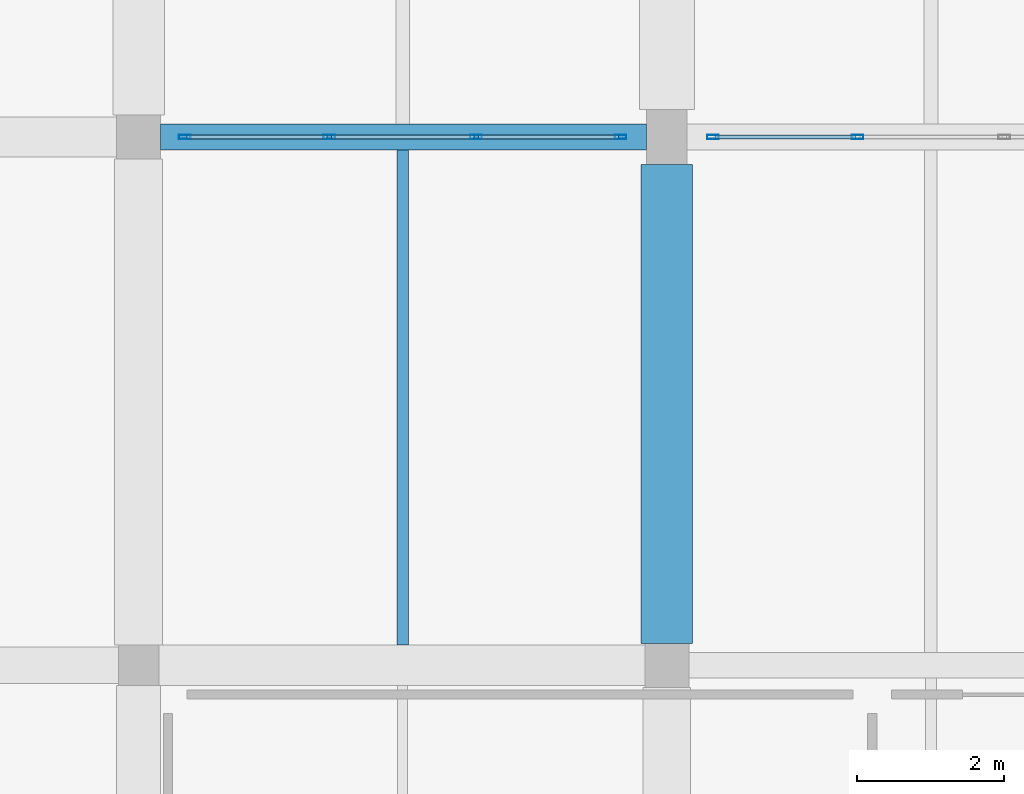
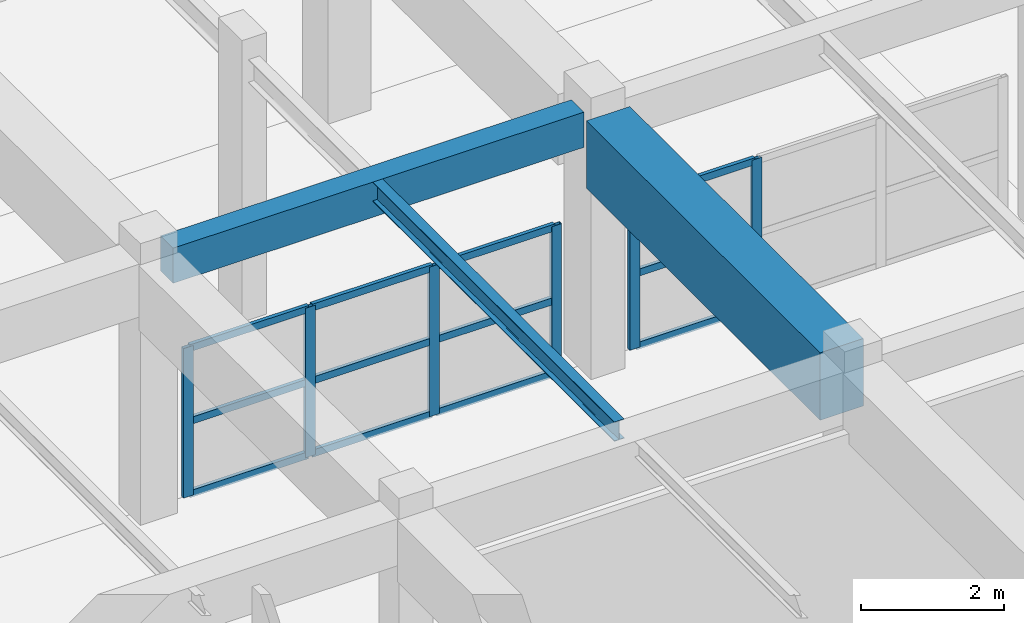
# One storey, part 7 of 72: 18 members, 3 beams, 2 elements without a shape of their own.
"""IFC4 building model written with IfcOpenShell, lengths in metres."""

from ifc_helpers import new_model, si_unit, direction, frame, origin, origin_2d, place, context, subcontext, project, spatial, rectangle, hollow_rectangle, i_section, extrude, material, material_profile, profile_set, type_object, element, aggregate, save


model = new_model("IFC4")

# Units and contexts
model_context = context("Model", 3, precision=1e-05, world=origin(), true_north=direction((0.0, 1.0)))
body_context = subcontext(model_context, "Body", "Model", "MODEL_VIEW")
ifc_project = project(units=[si_unit("LENGTHUNIT", "METRE"), si_unit("AREAUNIT", "SQUARE_METRE"), si_unit("VOLUMEUNIT", "CUBIC_METRE"), si_unit("PLANEANGLEUNIT", "RADIAN"), si_unit("MASSUNIT", "GRAM", prefix="KILO")], contexts=[model_context])

# Site, building, storey
site_placement = place(None, origin())
site = spatial("IfcSite", under=ifc_project, at=site_placement, CompositionType="ELEMENT")
building_placement = place(site_placement, origin())
building = spatial("IfcBuilding", under=site, at=building_placement, Name="Korsvaeld Concert Hall", CompositionType="ELEMENT")
storey_placement = place(building_placement, origin())
storey = spatial("IfcBuildingStorey", under=building, at=storey_placement, Name="L00", CompositionType="ELEMENT", Elevation=0.0)

# Beams
ifc_material_1 = material(Name="Concrete C35/45", Category="concrete")
ifc_material_profile_1 = material_profile(ifc_material_1, rectangle(XDim=0.35009765625, YDim=0.60009765625, at=origin_2d()), Name="RC 350x600")
ifc_profile_set_1 = profile_set([ifc_material_profile_1], Name="Concrete C35/45")
beam_type_1 = type_object("IfcBeamType", Name="BM-RC-350x600", PredefinedType="T_BEAM", material=ifc_profile_set_1)
beam_1_placement = place(storey_placement, frame((21.89990234375, 36.0, 4.139892578125), z_axis=(1.0, 0.0, 0.0), x_axis=(0.0, 1.0, 0.0)))
element("IfcBeam", 1, at=beam_1_placement, inside=storey, type_object=beam_type_1, Name="Primary girder 4-5/F L00", PredefinedType="T_BEAM", context=body_context, shape_type="SweptSolid", body=[
    extrude(rectangle(XDim=0.35009765625, YDim=0.60009765625, at=origin_2d()), origin(), (0.0, 0.0, 1.0), 6.625),
])
ifc_material_2 = material(Name="Concrete C40/50", Category="concrete")
ifc_material_profile_2 = material_profile(ifc_material_2, rectangle(XDim=0.699951171875, YDim=1.14990234375, at=origin_2d()), Name="RC 700x1150")
ifc_profile_set_2 = profile_set([ifc_material_profile_2], Name="Concrete C40/50")
beam_type_2 = type_object("IfcBeamType", Name="BM-RC-700x1150", PredefinedType="T_BEAM", material=ifc_profile_set_2)
beam_2_placement = place(storey_placement, frame((28.800048828125, 29.10009765625, 3.864990234375), z_axis=(0.0, 1.0, 0.0), x_axis=(-1.0, 0.0, 0.0)))
element("IfcBeam", 2, at=beam_2_placement, inside=storey, type_object=beam_type_2, Name="Primary girder 5/E-F L00", PredefinedType="T_BEAM", context=body_context, shape_type="SweptSolid", body=[
    extrude(rectangle(XDim=0.699951171875, YDim=1.14990234375, at=origin_2d()), origin(), (0.0, 0.0, 1.0), 6.52490234375),
])
ifc_material_3 = material(Name="Steel S355J2", Category="steel")
ifc_material_profile_3 = material_profile(ifc_material_3, i_section(OverallWidth=0.159912109375, OverallDepth=0.330078125, WebThickness=0.007568359375, FlangeThickness=0.011474609375, FilletRadius=0.01806640625, at=origin_2d()), Name="IPE 330")
ifc_profile_set_3 = profile_set([ifc_material_profile_3], Name="Steel S355J2")
beam_type_3 = type_object("IfcBeamType", Name="BM-STL-IPE330", PredefinedType="BEAM", material=ifc_profile_set_3)
beam_3_placement = place(storey_placement, frame((25.199951171875, 29.074951171875, 4.27490234375), z_axis=(0.0, 1.0, 0.0), x_axis=(-1.0, 0.0, 0.0)))
element("IfcBeam", 3, at=beam_3_placement, inside=storey, type_object=beam_type_3, Name="Secondary steel floor beam 4-5/E L00", PredefinedType="BEAM", context=body_context, shape_type="SweptSolid", body=[
    extrude(i_section(OverallWidth=0.159912109375, OverallDepth=0.330078125, WebThickness=0.007568359375, FlangeThickness=0.011474609375, FilletRadius=0.01806640625, at=origin_2d()), origin(), (0.0, 0.0, 1.0), 6.75),
])

# Curtain wall, members
ifc_material_4 = material(Name="Anodised bronze and ceramic-fritted safety glass", Category="glass")
curtain_wall_type_1 = type_object("IfcCurtainWallType", Name="CW-TYPE-11", PredefinedType="USERDEFINED", material=ifc_material_4)
curtain_wall_1_placement = place(storey_placement, origin())
curtain_wall_1 = element("IfcCurtainWall", 4, at=curtain_wall_1_placement, inside=storey, type_object=curtain_wall_type_1, Name="Glazed foyer acoustic screen L00-43", ObjectType="CURTAIN WALL", PredefinedType="USERDEFINED")
ifc_material_5 = material(Name="Anodised architectural bronze aluminium", Category="aluminium")
ifc_material_profile_4 = material_profile(ifc_material_5, hollow_rectangle(XDim=0.06005859375, YDim=0.159912109375, WallThickness=0.00390625, at=origin_2d()), Name="CWM 160x60x4")
ifc_profile_set_4 = profile_set([ifc_material_profile_4], Name="Anodised architectural bronze aluminium")
member_type_1 = type_object("IfcMemberType", Name="CWM-ALUM-160x60", PredefinedType="MULLION", material=ifc_profile_set_4)
member_1_placement = place(storey_placement, frame((22.22998046875, 36.0, 0.0), z_axis=(0.0, 0.0, 1.0), x_axis=(0.0, 1.0, 0.0)))
member_1 = element("IfcMember", 5, at=member_1_placement, type_object=member_type_1, Name="CW-11 mullion 1", PredefinedType="MULLION", context=body_context, shape_type="SweptSolid", body=[
    extrude(hollow_rectangle(XDim=0.06005859375, YDim=0.159912109375, WallThickness=0.00390625, at=origin_2d()), origin(), (0.0, 0.0, 1.0), 2.550048828125),
])
member_2_placement = place(storey_placement, frame((24.199951171875, 36.0, 0.0), z_axis=(0.0, 0.0, 1.0), x_axis=(0.0, 1.0, 0.0)))
member_2 = element("IfcMember", 6, at=member_2_placement, type_object=member_type_1, Name="CW-11 mullion 2", PredefinedType="MULLION", context=body_context, shape_type="SweptSolid", body=[
    extrude(hollow_rectangle(XDim=0.06005859375, YDim=0.159912109375, WallThickness=0.00390625, at=origin_2d()), origin(), (0.0, 0.0, 1.0), 2.550048828125),
])
member_3_placement = place(storey_placement, frame((26.199951171875, 36.0, 0.0), z_axis=(0.0, 0.0, 1.0), x_axis=(0.0, 1.0, 0.0)))
member_3 = element("IfcMember", 7, at=member_3_placement, type_object=member_type_1, Name="CW-11 mullion 3", PredefinedType="MULLION", context=body_context, shape_type="SweptSolid", body=[
    extrude(hollow_rectangle(XDim=0.06005859375, YDim=0.159912109375, WallThickness=0.00390625, at=origin_2d()), origin(), (0.0, 0.0, 1.0), 2.550048828125),
])
member_4_placement = place(storey_placement, frame((28.169921875, 36.0, 0.0), z_axis=(0.0, 0.0, 1.0), x_axis=(0.0, 1.0, 0.0)))
member_4 = element("IfcMember", 8, at=member_4_placement, type_object=member_type_1, Name="CW-11 mullion 4", PredefinedType="MULLION", context=body_context, shape_type="SweptSolid", body=[
    extrude(hollow_rectangle(XDim=0.06005859375, YDim=0.159912109375, WallThickness=0.00390625, at=origin_2d()), origin(), (0.0, 0.0, 1.0), 2.550048828125),
])

curtain_wall_type_2 = type_object("IfcCurtainWallType", Name="CW-TYPE-12", PredefinedType="USERDEFINED", material=ifc_material_4)
curtain_wall_2_placement = place(storey_placement, origin())
curtain_wall_2 = element("IfcCurtainWall", 9, at=curtain_wall_2_placement, inside=storey, type_object=curtain_wall_type_2, Name="Glazed foyer acoustic screen L00-44", ObjectType="CURTAIN WALL", PredefinedType="USERDEFINED")
member_5_placement = place(storey_placement, frame((29.429931640625, 36.0, 0.0), z_axis=(0.0, 0.0, 1.0), x_axis=(0.0, 1.0, 0.0)))
member_5 = element("IfcMember", 10, at=member_5_placement, type_object=member_type_1, Name="CW-12 mullion 1", PredefinedType="MULLION", context=body_context, shape_type="SweptSolid", body=[
    extrude(hollow_rectangle(XDim=0.06005859375, YDim=0.159912109375, WallThickness=0.00390625, at=origin_2d()), origin(), (0.0, 0.0, 1.0), 2.550048828125),
])
member_6_placement = place(storey_placement, frame((31.39990234375, 36.0, 0.0), z_axis=(0.0, 0.0, 1.0), x_axis=(0.0, 1.0, 0.0)))
member_6 = element("IfcMember", 11, at=member_6_placement, type_object=member_type_1, Name="CW-12 mullion 2", PredefinedType="MULLION", context=body_context, shape_type="SweptSolid", body=[
    extrude(hollow_rectangle(XDim=0.06005859375, YDim=0.159912109375, WallThickness=0.00390625, at=origin_2d()), origin(), (0.0, 0.0, 1.0), 2.550048828125),
])

# Member
ifc_material_profile_5 = material_profile(ifc_material_5, hollow_rectangle(XDim=0.06005859375, YDim=0.1201171875, WallThickness=0.00390625, at=origin_2d()), Name="CWT 120x60x4")
ifc_profile_set_5 = profile_set([ifc_material_profile_5], Name="Anodised architectural bronze aluminium")
member_type_2 = type_object("IfcMemberType", Name="CWT-ALUM-120x60", PredefinedType="USERDEFINED", material=ifc_profile_set_5)
member_7_placement = place(storey_placement, frame((22.260009765625, 36.0, 0.030029296875), z_axis=(1.0, 0.0, 0.0), x_axis=(0.0, 1.0, 0.0)))
member_7 = element("IfcMember", 12, at=member_7_placement, type_object=member_type_2, Name="CW-11 transom 1.1", ObjectType="TRANSOM", PredefinedType="USERDEFINED", context=body_context, shape_type="SweptSolid", body=[
    extrude(hollow_rectangle(XDim=0.06005859375, YDim=0.1201171875, WallThickness=0.00390625, at=origin_2d()), origin(), (0.0, 0.0, 1.0), 1.909912109375),
])

member_8_placement = place(storey_placement, frame((22.260009765625, 36.0, 1.27490234375), z_axis=(1.0, 0.0, 0.0), x_axis=(0.0, 1.0, 0.0)))
member_8 = element("IfcMember", 13, at=member_8_placement, type_object=member_type_2, Name="CW-11 transom 1.2", ObjectType="TRANSOM", PredefinedType="USERDEFINED", context=body_context, shape_type="SweptSolid", body=[
    extrude(hollow_rectangle(XDim=0.06005859375, YDim=0.1201171875, WallThickness=0.00390625, at=origin_2d()), origin(), (0.0, 0.0, 1.0), 1.909912109375),
])

member_9_placement = place(storey_placement, frame((22.260009765625, 36.0, 2.52001953125), z_axis=(1.0, 0.0, 0.0), x_axis=(0.0, 1.0, 0.0)))
member_9 = element("IfcMember", 14, at=member_9_placement, type_object=member_type_2, Name="CW-11 transom 1.3", ObjectType="TRANSOM", PredefinedType="USERDEFINED", context=body_context, shape_type="SweptSolid", body=[
    extrude(hollow_rectangle(XDim=0.06005859375, YDim=0.1201171875, WallThickness=0.00390625, at=origin_2d()), origin(), (0.0, 0.0, 1.0), 1.909912109375),
])

member_10_placement = place(storey_placement, frame((24.22998046875, 36.0, 0.030029296875), z_axis=(1.0, 0.0, 0.0), x_axis=(0.0, 1.0, 0.0)))
member_10 = element("IfcMember", 15, at=member_10_placement, type_object=member_type_2, Name="CW-11 transom 2.1", ObjectType="TRANSOM", PredefinedType="USERDEFINED", context=body_context, shape_type="SweptSolid", body=[
    extrude(hollow_rectangle(XDim=0.06005859375, YDim=0.1201171875, WallThickness=0.00390625, at=origin_2d()), origin(), (0.0, 0.0, 1.0), 1.93994140625),
])

member_11_placement = place(storey_placement, frame((24.22998046875, 36.0, 1.27490234375), z_axis=(1.0, 0.0, 0.0), x_axis=(0.0, 1.0, 0.0)))
member_11 = element("IfcMember", 16, at=member_11_placement, type_object=member_type_2, Name="CW-11 transom 2.2", ObjectType="TRANSOM", PredefinedType="USERDEFINED", context=body_context, shape_type="SweptSolid", body=[
    extrude(hollow_rectangle(XDim=0.06005859375, YDim=0.1201171875, WallThickness=0.00390625, at=origin_2d()), origin(), (0.0, 0.0, 1.0), 1.93994140625),
])

member_12_placement = place(storey_placement, frame((24.22998046875, 36.0, 2.52001953125), z_axis=(1.0, 0.0, 0.0), x_axis=(0.0, 1.0, 0.0)))
member_12 = element("IfcMember", 17, at=member_12_placement, type_object=member_type_2, Name="CW-11 transom 2.3", ObjectType="TRANSOM", PredefinedType="USERDEFINED", context=body_context, shape_type="SweptSolid", body=[
    extrude(hollow_rectangle(XDim=0.06005859375, YDim=0.1201171875, WallThickness=0.00390625, at=origin_2d()), origin(), (0.0, 0.0, 1.0), 1.93994140625),
])

member_13_placement = place(storey_placement, frame((26.22998046875, 36.0, 0.030029296875), z_axis=(1.0, 0.0, 0.0), x_axis=(0.0, 1.0, 0.0)))
member_13 = element("IfcMember", 18, at=member_13_placement, type_object=member_type_2, Name="CW-11 transom 3.1", ObjectType="TRANSOM", PredefinedType="USERDEFINED", context=body_context, shape_type="SweptSolid", body=[
    extrude(hollow_rectangle(XDim=0.06005859375, YDim=0.1201171875, WallThickness=0.00390625, at=origin_2d()), origin(), (0.0, 0.0, 1.0), 1.909912109375),
])

member_14_placement = place(storey_placement, frame((26.22998046875, 36.0, 1.27490234375), z_axis=(1.0, 0.0, 0.0), x_axis=(0.0, 1.0, 0.0)))
member_14 = element("IfcMember", 19, at=member_14_placement, type_object=member_type_2, Name="CW-11 transom 3.2", ObjectType="TRANSOM", PredefinedType="USERDEFINED", context=body_context, shape_type="SweptSolid", body=[
    extrude(hollow_rectangle(XDim=0.06005859375, YDim=0.1201171875, WallThickness=0.00390625, at=origin_2d()), origin(), (0.0, 0.0, 1.0), 1.909912109375),
])

member_15_placement = place(storey_placement, frame((26.22998046875, 36.0, 2.52001953125), z_axis=(1.0, 0.0, 0.0), x_axis=(0.0, 1.0, 0.0)))
member_15 = element("IfcMember", 20, at=member_15_placement, type_object=member_type_2, Name="CW-11 transom 3.3", ObjectType="TRANSOM", PredefinedType="USERDEFINED", context=body_context, shape_type="SweptSolid", body=[
    extrude(hollow_rectangle(XDim=0.06005859375, YDim=0.1201171875, WallThickness=0.00390625, at=origin_2d()), origin(), (0.0, 0.0, 1.0), 1.909912109375),
])

aggregate(curtain_wall_1, [member_1, member_2, member_3, member_4, member_7, member_8, member_9, member_10, member_11, member_12, member_13, member_14, member_15])

member_16_placement = place(storey_placement, frame((29.4599609375, 36.0, 0.030029296875), z_axis=(1.0, 0.0, 0.0), x_axis=(0.0, 1.0, 0.0)))
member_16 = element("IfcMember", 21, at=member_16_placement, type_object=member_type_2, Name="CW-12 transom 1.1", ObjectType="TRANSOM", PredefinedType="USERDEFINED", context=body_context, shape_type="SweptSolid", body=[
    extrude(hollow_rectangle(XDim=0.06005859375, YDim=0.1201171875, WallThickness=0.00390625, at=origin_2d()), origin(), (0.0, 0.0, 1.0), 1.91015625),
])

member_17_placement = place(storey_placement, frame((29.4599609375, 36.0, 1.27490234375), z_axis=(1.0, 0.0, 0.0), x_axis=(0.0, 1.0, 0.0)))
member_17 = element("IfcMember", 22, at=member_17_placement, type_object=member_type_2, Name="CW-12 transom 1.2", ObjectType="TRANSOM", PredefinedType="USERDEFINED", context=body_context, shape_type="SweptSolid", body=[
    extrude(hollow_rectangle(XDim=0.06005859375, YDim=0.1201171875, WallThickness=0.00390625, at=origin_2d()), origin(), (0.0, 0.0, 1.0), 1.91015625),
])

member_18_placement = place(storey_placement, frame((29.4599609375, 36.0, 2.52001953125), z_axis=(1.0, 0.0, 0.0), x_axis=(0.0, 1.0, 0.0)))
member_18 = element("IfcMember", 23, at=member_18_placement, type_object=member_type_2, Name="CW-12 transom 1.3", ObjectType="TRANSOM", PredefinedType="USERDEFINED", context=body_context, shape_type="SweptSolid", body=[
    extrude(hollow_rectangle(XDim=0.06005859375, YDim=0.1201171875, WallThickness=0.00390625, at=origin_2d()), origin(), (0.0, 0.0, 1.0), 1.91015625),
])

aggregate(curtain_wall_2, [member_5, member_6, member_16, member_17, member_18])

save(model, "model.ifc")
